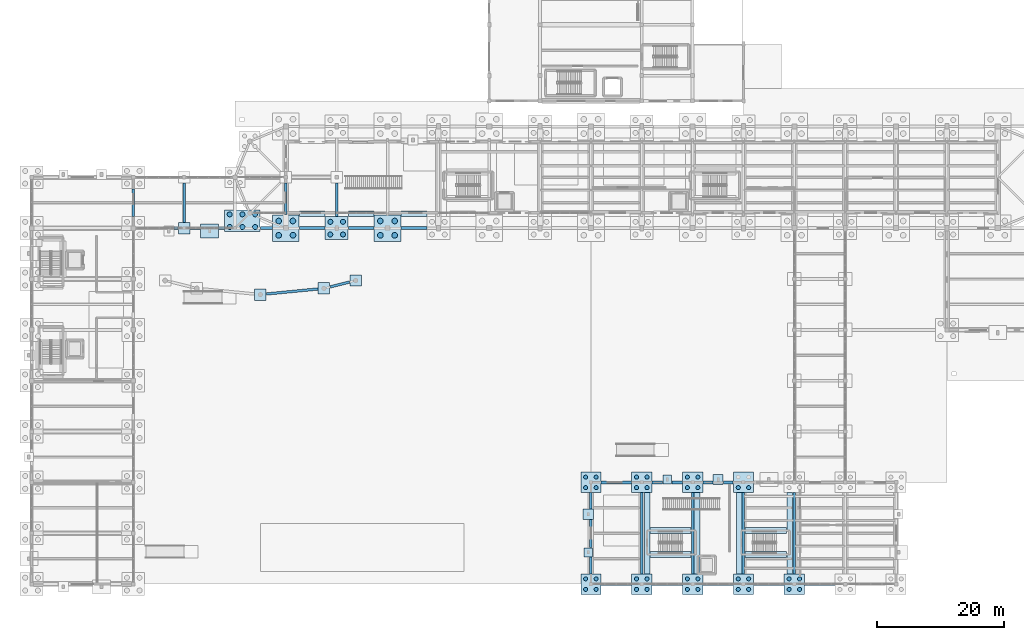
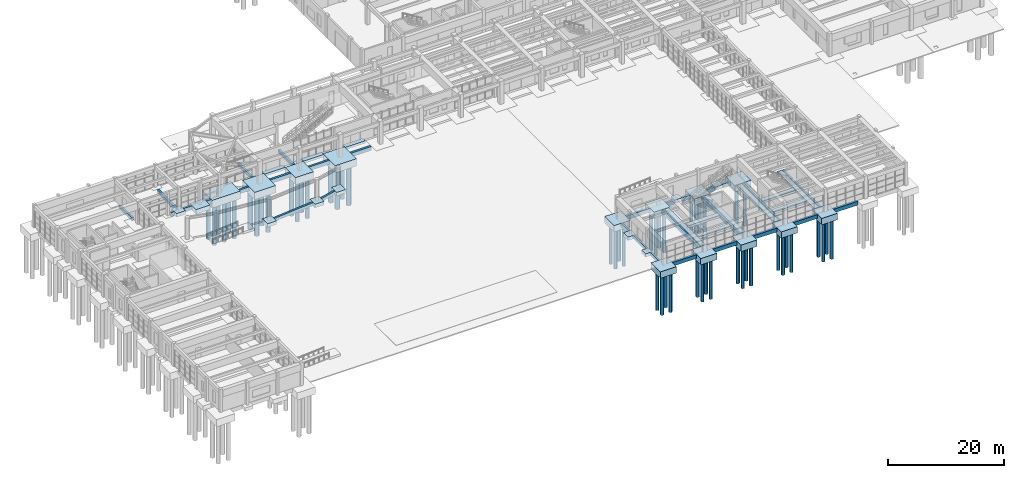
# One storey, part 2 of 68: 63 footings, 52 piles.
"""IFC4 building model written with IfcOpenShell, lengths in metres."""

import ifcopenshell
import ifcopenshell.guid

model = None  # the IFC model being written
_history = None  # IfcOwnerHistory: only IFC2X3 demands one
_inside = {}  # id of a spatial element -> (the spatial element, [elements in it])
_under = {}  # id of a project, library or spatial element -> (it, [spatial elements below it])
_declared = {}  # id of a project -> (the project, [libraries it declares])
_typed = {}  # id of a type object -> (the type object, [elements of that type])
_made_of = {}  # id of a material, layer set ... -> (it, [elements and type objects made of it])


def new_model(schema):
    """Start an empty IFC model of exactly this schema.

    Asked for "IFC4X3", IfcOpenShell would pick the latest addendum, in which some entities
    have other attributes; the version numbers below select the first issue.
    IFC2X3 requires an IfcOwnerHistory on every rooted entity: one is made here for all.
    """
    global model, _history
    if schema == "IFC4X3":
        model = ifcopenshell.file(schema_version=(4, 3, 0, 0))
    else:
        model = ifcopenshell.file(schema=schema)
    _inside.clear()
    _under.clear()
    _declared.clear()
    _typed.clear()
    _made_of.clear()
    _history = None
    if model.schema == "IFC2X3":
        org = make("IfcOrganization", Name="unknown")
        user = make(
            "IfcPersonAndOrganization",
            ThePerson=make("IfcPerson", FamilyName="unknown"),
            TheOrganization=org,
        )
        app = make(
            "IfcApplication",
            ApplicationDeveloper=org,
            Version="unknown",
            ApplicationFullName="unknown",
            ApplicationIdentifier="unknown",
        )
        _history = make(
            "IfcOwnerHistory",
            OwningUser=user,
            OwningApplication=app,
            ChangeAction="ADDED",
            CreationDate=0,
        )
    return model


def make(cls, **values):
    """One entity of the class cls with the attributes given. An attribute that is None is left unset."""
    return model.create_entity(
        cls, **{name: value for name, value in values.items() if value is not None}
    )


def rooted(cls, **values):
    """An entity with a GlobalId (a new one), such as an element, a storey or a relation."""
    return make(cls, GlobalId=ifcopenshell.guid.new(), OwnerHistory=_history, **values)


def si_unit(unit_type, name, prefix=None):
    """IfcSIUnit, for example si_unit("LENGTHUNIT", "METRE", prefix="MILLI")."""
    return make("IfcSIUnit", UnitType=unit_type, Prefix=prefix, Name=name)


def assignment(units):
    """IfcUnitAssignment: the units of a project."""
    return None if units is None else make("IfcUnitAssignment", Units=units)


def point(xyz):
    """IfcCartesianPoint."""
    return None if xyz is None else make("IfcCartesianPoint", Coordinates=xyz)


def direction(xyz):
    """IfcDirection."""
    return None if xyz is None else make("IfcDirection", DirectionRatios=xyz)


def frame(location, z_axis=None, x_axis=None):
    """IfcAxis2Placement3D, a coordinate frame: its origin and axes. An axis left out is left unset."""
    return make(
        "IfcAxis2Placement3D",
        Location=point(location),
        Axis=direction(z_axis),
        RefDirection=direction(x_axis),
    )


def frame_2d(location, x_axis=None):
    """IfcAxis2Placement2D, a coordinate frame in the plane: its origin and x axis."""
    return make(
        "IfcAxis2Placement2D", Location=point(location), RefDirection=direction(x_axis)
    )


def origin():
    """The frame at (0, 0, 0) with its axes left unset."""
    return frame((0.0, 0.0, 0.0))


def origin_2d():
    """The frame at (0, 0) in the plane with its x axis left unset."""
    return frame_2d((0.0, 0.0))


def place(relative_to, where):
    """IfcLocalPlacement: puts the frame where relative to a parent placement (None: the world)."""
    return make(
        "IfcLocalPlacement", PlacementRelTo=relative_to, RelativePlacement=where
    )


def context(
    kind, dimensions, precision=None, world=None, true_north=None, identifier=None
):
    """IfcGeometricRepresentationContext, for example the 3D "Model" context."""
    return make(
        "IfcGeometricRepresentationContext",
        ContextIdentifier=identifier,
        ContextType=kind,
        CoordinateSpaceDimension=dimensions,
        Precision=precision,
        WorldCoordinateSystem=world,
        TrueNorth=true_north,
    )


def subcontext(parent, identifier, kind, view, scale=None):
    """IfcGeometricRepresentationSubContext, for example "Body" below "Model"."""
    return make(
        "IfcGeometricRepresentationSubContext",
        ContextIdentifier=identifier,
        ContextType=kind,
        ParentContext=parent,
        TargetScale=scale,
        TargetView=view,
    )


def project(units=None, contexts=None):
    """IfcProject with its units and contexts."""
    return rooted(
        "IfcProject",
        Name="project",
        RepresentationContexts=contexts,
        UnitsInContext=assignment(units),
    )


def spatial(cls, under=None, at=None, **own):
    """A site, building, storey or space (cls), placed at a placement, below another one or the project."""
    s = rooted(cls, ObjectPlacement=at, **own)
    if under is not None:
        _under.setdefault(under.id(), (under, []))[1].append(s)
    return s


def polyline(points):
    """IfcPolyline through the points."""
    return make("IfcPolyline", Points=[point(p) for p in points])


def profile(cls, at=None, kind="AREA", **sizes):
    """A parametric profile (cls). Its sizes go by their IFC names, for example OverallWidth=200.0."""
    return make(cls, ProfileType=kind, Position=at, **sizes)


def rectangle(**sizes):
    """IfcRectangleProfileDef."""
    return profile("IfcRectangleProfileDef", **sizes)


def circle(**sizes):
    """IfcCircleProfileDef."""
    return profile("IfcCircleProfileDef", **sizes)


def outline(outer, holes=None, kind="AREA"):
    """IfcArbitraryClosedProfileDef: a profile drawn as a closed curve; with holes, ...WithVoids."""
    if holes is None:
        return make("IfcArbitraryClosedProfileDef", ProfileType=kind, OuterCurve=outer)
    return make(
        "IfcArbitraryProfileDefWithVoids",
        ProfileType=kind,
        OuterCurve=outer,
        InnerCurves=holes,
    )


def extrude(swept, where, along, depth):
    """IfcExtrudedAreaSolid: the profile swept, set in the frame where, extruded along a direction by depth."""
    return make(
        "IfcExtrudedAreaSolid",
        SweptArea=swept,
        Position=where,
        ExtrudedDirection=direction(along),
        Depth=depth,
    )


def shape(context_of_items, identifier, shape_type, items):
    """IfcShapeRepresentation: the items that make up one representation, for example the "Body"."""
    return make(
        "IfcShapeRepresentation",
        ContextOfItems=context_of_items,
        RepresentationIdentifier=identifier,
        RepresentationType=shape_type,
        Items=items,
    )


def material(Name=None, Category=None):
    """IfcMaterial."""
    return make("IfcMaterial", Name=Name, Category=Category)


def material_profile(
    of_material, cross_section, Name=None, Category=None, Priority=None
):
    """IfcMaterialProfile: a cross section and its material."""
    return make(
        "IfcMaterialProfile",
        Name=Name,
        Material=of_material,
        Profile=cross_section,
        Priority=Priority,
        Category=Category,
    )


def profile_set(profiles, Name=None, composite=None):
    """IfcMaterialProfileSet."""
    return make(
        "IfcMaterialProfileSet",
        Name=Name,
        MaterialProfiles=profiles,
        CompositeProfile=composite,
    )


def made_of(thing, what):
    """Note that an element or type object is made of a material, layer set ...; save() writes the relation."""
    if what is not None:
        _made_of.setdefault(what.id(), (what, []))[1].append(thing)
    return thing


def type_object(cls, material=None, **own):
    """A type object (cls), such as IfcWallType, which elements share."""
    return made_of(rooted(cls, **own), material)


def element(
    cls,
    number,
    at=None,
    inside=None,
    cuts=None,
    type_object=None,
    material=None,
    context=None,
    identifier="Body",
    shape_type=None,
    held_by="IfcProductDefinitionShape",
    body=None,
    shapes=None,
    **own,
):
    """One element of the class cls, such as IfcWall. Its Tag is "e" and its number.

    at: its placement. inside: the storey or other place that contains it. cuts: it is an
    opening in that element (IfcRelVoidsElement). A single representation is given by context,
    identifier, shape_type and body (its items); several are given by shapes. held_by: the class
    of the entity that holds the representations. save() writes the other relations.
    """
    e = rooted(cls, Tag="e%d" % number, ObjectPlacement=at, **own)
    if body is not None:
        shapes = [shape(context, identifier, shape_type, body)]
    if shapes is not None:
        e.Representation = make(held_by, Representations=shapes)
    if inside is not None:
        _inside.setdefault(inside.id(), (inside, []))[1].append(e)
    if cuts is not None:
        rooted(
            "IfcRelVoidsElement", RelatingBuildingElement=cuts, RelatedOpeningElement=e
        )
    if type_object is not None:
        _typed.setdefault(type_object.id(), (type_object, []))[1].append(e)
    return made_of(e, material)


def aggregate(whole, parts):
    """IfcRelAggregates: a whole, such as a stair, and the parts it consists of."""
    return rooted("IfcRelAggregates", RelatingObject=whole, RelatedObjects=parts)


def save(model, path):
    """Write the relations noted so far, then the file.

    IfcRelAggregates (storeys below a building ...), IfcRelContainedInSpatialStructure (elements
    in a storey), IfcRelDefinesByType, IfcRelAssociatesMaterial and IfcRelDeclares: one each for
    every whole, place, type object, material and project.
    """
    for whole, parts in _under.values():
        aggregate(whole, parts)
    for where, things in _inside.values():
        rooted(
            "IfcRelContainedInSpatialStructure",
            RelatedElements=things,
            RelatingStructure=where,
        )
    for kind, things in _typed.values():
        rooted("IfcRelDefinesByType", RelatedObjects=things, RelatingType=kind)
    for what, things in _made_of.values():
        rooted("IfcRelAssociatesMaterial", RelatedObjects=things, RelatingMaterial=what)
    for by, libraries in _declared.values():
        rooted("IfcRelDeclares", RelatingContext=by, RelatedDefinitions=libraries)
    model.write(path)


model = new_model("IFC4")

# Units and contexts
model_context = context("Model", 3, precision=1e-05, world=origin(), true_north=direction((0.0, 1.0)))
body_context = subcontext(model_context, "Body", "Model", "MODEL_VIEW")
ifc_project = project(units=[si_unit("LENGTHUNIT", "METRE"), si_unit("AREAUNIT", "SQUARE_METRE"), si_unit("VOLUMEUNIT", "CUBIC_METRE"), si_unit("PLANEANGLEUNIT", "RADIAN"), si_unit("MASSUNIT", "GRAM", prefix="KILO")], contexts=[model_context])

# Site, building, storey
site_placement = place(None, origin())
site = spatial("IfcSite", under=ifc_project, at=site_placement, CompositionType="ELEMENT")
building_placement = place(site_placement, origin())
building = spatial("IfcBuilding", under=site, at=building_placement, Name="Serraluz Foothill Cableway Terminal", CompositionType="ELEMENT")
storey_placement = place(building_placement, origin())
storey = spatial("IfcBuildingStorey", under=building, at=storey_placement, Name="L00", CompositionType="ELEMENT", Elevation=0.0)

# Footings
ifc_material_1 = material(Name="Concrete C35/45 (f'c 35 MPa)", Category="concrete")
ifc_material_profile_1 = material_profile(ifc_material_1, rectangle(XDim=0.39990234375, YDim=0.64990234375, at=origin_2d()), Name="RC 400x650")
ifc_profile_set_1 = profile_set([ifc_material_profile_1], Name="Concrete C35/45 (f'c 35 MPa)")
footing_type_1 = type_object("IfcFootingType", Name="TYP-FB-400X650", PredefinedType="FOOTING_BEAM", material=ifc_profile_set_1)
footing_1_placement = place(storey_placement, frame((16.0, 57.823974609375, -0.324951171875), z_axis=(0.0, 1.0, 0.0), x_axis=(-1.0, 0.0, 0.0)))
element("IfcFooting", 1, at=footing_1_placement, inside=storey, type_object=footing_type_1, Name="Seismic Tie Footing Beam FB-131", PredefinedType="FOOTING_BEAM", context=body_context, shape_type="SweptSolid", body=[
    extrude(rectangle(XDim=0.39990234375, YDim=0.64990234375, at=origin_2d()), origin(), (0.0, 0.0, 1.0), 4.35205078125),
])
footing_2_placement = place(storey_placement, frame((24.0, 56.924072265625, -0.324951171875), z_axis=(0.0, 1.0, 0.0), x_axis=(-1.0, 0.0, 0.0)))
element("IfcFooting", 2, at=footing_2_placement, inside=storey, type_object=footing_type_1, Name="Seismic Tie Footing Beam FB-132", PredefinedType="FOOTING_BEAM", context=body_context, shape_type="SweptSolid", body=[
    extrude(rectangle(XDim=0.39990234375, YDim=0.64990234375, at=origin_2d()), origin(), (0.0, 0.0, 1.0), 6.15185546875),
])
footing_3_placement = place(storey_placement, frame((40.0, 58.1240234375, -0.324951171875), z_axis=(0.0, 1.0, 0.0), x_axis=(-1.0, 0.0, 0.0)))
element("IfcFooting", 3, at=footing_3_placement, inside=storey, type_object=footing_type_1, Name="Seismic Tie Footing Beam FB-133", PredefinedType="FOOTING_BEAM", context=body_context, shape_type="SweptSolid", body=[
    extrude(rectangle(XDim=0.39990234375, YDim=0.64990234375, at=origin_2d()), origin(), (0.0, 0.0, 1.0), 4.951904296875),
])
footing_4_placement = place(storey_placement, frame((48.0, 57.823974609375, -0.324951171875), z_axis=(0.0, 1.0, 0.0), x_axis=(-1.0, 0.0, 0.0)))
element("IfcFooting", 4, at=footing_4_placement, inside=storey, type_object=footing_type_1, Name="Seismic Tie Footing Beam FB-135", PredefinedType="FOOTING_BEAM", context=body_context, shape_type="SweptSolid", body=[
    extrude(rectangle(XDim=0.39990234375, YDim=0.64990234375, at=origin_2d()), origin(), (0.0, 0.0, 1.0), 5.251953125),
])
footing_5_placement = place(storey_placement, frame((88.0, 1.6240234375, -0.324951171875), z_axis=(0.0, 1.0, 0.0), x_axis=(-1.0, 0.0, 0.0)))
element("IfcFooting", 5, at=footing_5_placement, inside=storey, type_object=footing_type_1, Name="Seismic Tie Footing Beam FB-141", PredefinedType="FOOTING_BEAM", context=body_context, shape_type="SweptSolid", body=[
    extrude(rectangle(XDim=0.39990234375, YDim=0.64990234375, at=origin_2d()), origin(), (0.0, 0.0, 1.0), 2.65185546875),
])
footing_6_placement = place(storey_placement, frame((88.0, 5.72412109375, -0.324951171875), z_axis=(0.0, 1.0, 0.0), x_axis=(-1.0, 0.0, 0.0)))
element("IfcFooting", 6, at=footing_6_placement, inside=storey, type_object=footing_type_1, Name="Seismic Tie Footing Beam FB-142", PredefinedType="FOOTING_BEAM", context=body_context, shape_type="SweptSolid", body=[
    extrude(rectangle(XDim=0.39990234375, YDim=0.64990234375, at=origin_2d()), origin(), (0.0, 0.0, 1.0), 4.451904296875),
])
footing_7_placement = place(storey_placement, frame((88.0, 11.823974609375, -0.324951171875), z_axis=(0.0, 1.0, 0.0), x_axis=(-1.0, 0.0, 0.0)))
element("IfcFooting", 7, at=footing_7_placement, inside=storey, type_object=footing_type_1, Name="Seismic Tie Footing Beam FB-143", PredefinedType="FOOTING_BEAM", context=body_context, shape_type="SweptSolid", body=[
    extrude(rectangle(XDim=0.39990234375, YDim=0.64990234375, at=origin_2d()), origin(), (0.0, 0.0, 1.0), 2.552001953125),
])
for number, where, z_axis, x_axis, name in (
    (8, (96.0, 1.6240234375, -0.324951171875), (0.0, 1.0, 0.0), (-1.0, 0.0, 0.0), "Seismic Tie Footing Beam FB-145"),
    (9, (104.0, 1.6240234375, -0.324951171875), (0.0, 1.0, 0.0), (-1.0, 0.0, 0.0), "Seismic Tie Footing Beam FB-147"),
    (10, (112.0, 1.6240234375, -0.324951171875), (0.0, 1.0, 0.0), (-1.0, 0.0, 0.0), "Seismic Tie Footing Beam FB-149"),
    (11, (120.0, 1.6240234375, -0.324951171875), (0.0, 1.0, 0.0), (-1.0, 0.0, 0.0), "Seismic Tie Footing Beam FB-151"),
):
    element("IfcFooting", number, at=place(storey_placement, frame(where, z_axis=z_axis, x_axis=x_axis)), inside=storey, type_object=footing_type_1, Name=name, PredefinedType="FOOTING_BEAM", context=body_context, shape_type="SweptSolid", body=[
        extrude(rectangle(XDim=0.39990234375, YDim=0.64990234375, at=origin_2d()), origin(), (0.0, 0.0, 1.0), 12.751953125),
    ])
footing_8_placement = place(storey_placement, frame((36.945556640625, 45.641845703125, -0.324951171875), z_axis=(0.995324863023, 0.096583730762, 0.0), x_axis=(-0.096583730762, 0.995324863023, 0.0)))
element("IfcFooting", 12, at=footing_8_placement, inside=storey, type_object=footing_type_1, Name="Seismic Tie Footing Beam FB-CAN-03", PredefinedType="FOOTING_BEAM", context=body_context, shape_type="SweptSolid", body=[
    extrude(rectangle(XDim=0.39990234375, YDim=0.64990234375, at=origin_2d()), origin(), (0.0, 0.0, 1.0), 8.14697265625),
])
footing_9_placement = place(storey_placement, frame((46.977294921875, 46.762939453125, -0.324951171875), z_axis=(0.970607565499, 0.240667724875, 0.0), x_axis=(-0.240667724875, 0.970607565499, 0.0)))
element("IfcFooting", 13, at=footing_9_placement, inside=storey, type_object=footing_type_1, Name="Seismic Tie Footing Beam FB-CAN-04", PredefinedType="FOOTING_BEAM", context=body_context, shape_type="SweptSolid", body=[
    extrude(rectangle(XDim=0.39990234375, YDim=0.64990234375, at=origin_2d()), origin(), (0.0, 0.0, 1.0), 3.1376953125),
])
ifc_material_profile_2 = material_profile(ifc_material_1, rectangle(XDim=0.449951171875, YDim=0.800048828125, at=origin_2d()), Name="RC 450x800")
ifc_profile_set_2 = profile_set([ifc_material_profile_2], Name="Concrete C35/45 (f'c 35 MPa)")
footing_type_2 = type_object("IfcFootingType", Name="TYP-FB-450X700", PredefinedType="FOOTING_BEAM", material=ifc_profile_set_2)
for number, where, z_axis, x_axis, name in (
    (14, (89.6240234375, 0.0, -0.39990234375), (1.0, 0.0, 0.0), (0.0, 1.0, 0.0), "Seismic Tie Footing Beam FB-031"),
    (15, (97.6240234375, 0.0, -0.39990234375), (1.0, 0.0, 0.0), (0.0, 1.0, 0.0), "Seismic Tie Footing Beam FB-032"),
    (16, (105.6240234375, 0.0, -0.39990234375), (1.0, 0.0, 0.0), (0.0, 1.0, 0.0), "Seismic Tie Footing Beam FB-033"),
    (17, (113.6240234375, 0.0, -0.39990234375), (1.0, 0.0, 0.0), (0.0, 1.0, 0.0), "Seismic Tie Footing Beam FB-034"),
    (18, (121.6240234375, 0.0, -0.39990234375), (1.0, 0.0, 0.0), (0.0, 1.0, 0.0), "Seismic Tie Footing Beam FB-035"),
    (19, (89.6240234375, 16.0, -0.39990234375), (1.0, 0.0, 0.0), (0.0, 1.0, 0.0), "Seismic Tie Footing Beam FB-039"),
):
    element("IfcFooting", number, at=place(storey_placement, frame(where, z_axis=z_axis, x_axis=x_axis)), inside=storey, type_object=footing_type_2, Name=name, PredefinedType="FOOTING_BEAM", context=body_context, shape_type="SweptSolid", body=[
        extrude(rectangle(XDim=0.449951171875, YDim=0.800048828125, at=origin_2d()), origin(), (0.0, 0.0, 1.0), 4.751953125),
    ])
for number, where, z_axis, x_axis, name in (
    (20, (97.6240234375, 16.0, -0.39990234375), (1.0, 0.0, 0.0), (0.0, 1.0, 0.0), "Seismic Tie Footing Beam FB-040"),
    (21, (100.72412109375, 16.0, -0.39990234375), (1.0, 0.0, 0.0), (0.0, 1.0, 0.0), "Seismic Tie Footing Beam FB-041"),
):
    element("IfcFooting", number, at=place(storey_placement, frame(where, z_axis=z_axis, x_axis=x_axis)), inside=storey, type_object=footing_type_2, Name=name, PredefinedType="FOOTING_BEAM", context=body_context, shape_type="SweptSolid", body=[
        extrude(rectangle(XDim=0.449951171875, YDim=0.800048828125, at=origin_2d()), origin(), (0.0, 0.0, 1.0), 1.65185546875),
    ])
for number, where, z_axis, x_axis, name in (
    (22, (105.6240234375, 16.0, -0.39990234375), (1.0, 0.0, 0.0), (0.0, 1.0, 0.0), "Seismic Tie Footing Beam FB-042"),
    (23, (108.823974609375, 16.0, -0.39990234375), (1.0, 0.0, 0.0), (0.0, 1.0, 0.0), "Seismic Tie Footing Beam FB-043"),
):
    element("IfcFooting", number, at=place(storey_placement, frame(where, z_axis=z_axis, x_axis=x_axis)), inside=storey, type_object=footing_type_2, Name=name, PredefinedType="FOOTING_BEAM", context=body_context, shape_type="SweptSolid", body=[
        extrude(rectangle(XDim=0.449951171875, YDim=0.800048828125, at=origin_2d()), origin(), (0.0, 0.0, 1.0), 1.552001953125),
    ])
footing_10_placement = place(storey_placement, frame((22.424072265625, 56.0, -0.39990234375), z_axis=(1.0, 0.0, 0.0), x_axis=(0.0, 1.0, 0.0)))
element("IfcFooting", 24, at=footing_10_placement, inside=storey, type_object=footing_type_2, Name="Seismic Tie Footing Beam FB-063", PredefinedType="FOOTING_BEAM", context=body_context, shape_type="SweptSolid", body=[
    extrude(rectangle(XDim=0.449951171875, YDim=0.800048828125, at=origin_2d()), origin(), (0.0, 0.0, 1.0), 0.65185546875),
])
footing_11_placement = place(storey_placement, frame((24.924072265625, 56.0, -0.39990234375), z_axis=(1.0, 0.0, 0.0), x_axis=(0.0, 1.0, 0.0)))
element("IfcFooting", 25, at=footing_11_placement, inside=storey, type_object=footing_type_2, Name="Seismic Tie Footing Beam FB-064", PredefinedType="FOOTING_BEAM", context=body_context, shape_type="SweptSolid", body=[
    extrude(rectangle(XDim=0.449951171875, YDim=0.800048828125, at=origin_2d()), origin(), (0.0, 0.0, 1.0), 1.65185546875),
])
footing_12_placement = place(storey_placement, frame((29.424072265625, 56.0, -0.39990234375), z_axis=(1.0, 0.0, 0.0), x_axis=(0.0, 1.0, 0.0)))
element("IfcFooting", 26, at=footing_12_placement, inside=storey, type_object=footing_type_2, Name="Seismic Tie Footing Beam FB-065", PredefinedType="FOOTING_BEAM", context=body_context, shape_type="SweptSolid", body=[
    extrude(rectangle(XDim=0.449951171875, YDim=0.800048828125, at=origin_2d()), origin(), (0.0, 0.0, 1.0), 0.92333984375),
])
footing_13_placement = place(storey_placement, frame((35.99560546875, 56.0, -0.39990234375), z_axis=(1.0, 0.0, 0.0), x_axis=(0.0, 1.0, 0.0)))
element("IfcFooting", 27, at=footing_13_placement, inside=storey, type_object=footing_type_2, Name="Seismic Tie Footing Beam FB-066", PredefinedType="FOOTING_BEAM", context=body_context, shape_type="SweptSolid", body=[
    extrude(rectangle(XDim=0.449951171875, YDim=0.800048828125, at=origin_2d()), origin(), (0.0, 0.0, 1.0), 1.88037109375),
])
for number, where, z_axis, x_axis, name in (
    (28, (42.1240234375, 56.0, -0.39990234375), (1.0, 0.0, 0.0), (0.0, 1.0, 0.0), "Seismic Tie Footing Beam FB-067"),
    (29, (49.823974609375, 56.0, -0.39990234375), (1.0, 0.0, 0.0), (0.0, 1.0, 0.0), "Seismic Tie Footing Beam FB-068"),
    (30, (58.1240234375, 56.0, -0.39990234375), (1.0, 0.0, 0.0), (0.0, 1.0, 0.0), "Seismic Tie Footing Beam FB-069"),
):
    element("IfcFooting", number, at=place(storey_placement, frame(where, z_axis=z_axis, x_axis=x_axis)), inside=storey, type_object=footing_type_2, Name=name, PredefinedType="FOOTING_BEAM", context=body_context, shape_type="SweptSolid", body=[
        extrude(rectangle(XDim=0.449951171875, YDim=0.800048828125, at=origin_2d()), origin(), (0.0, 0.0, 1.0), 4.052001953125),
    ])
footing_type_3 = type_object("IfcFootingType", Name="TYP-PAD-1400X1400X650", PredefinedType="PAD_FOOTING", material=ifc_material_1)
for number, where, z_axis, x_axis, name in (
    (31, (100.0, 16.47998046875, -0.64990234375), (0.0, 0.0, 1.0), (1.0, 0.0, 0.0), "Pilaster Pad Footing 18"),
    (32, (87.580078125, 5.0, -0.64990234375), (0.0, 0.0, 1.0), (1.0, 0.0, 0.0), "Pilaster Pad Footing 21"),
):
    element("IfcFooting", number, at=place(storey_placement, frame(where, z_axis=z_axis, x_axis=x_axis)), inside=storey, type_object=footing_type_3, Name=name, PredefinedType="PAD_FOOTING", context=body_context, shape_type="SweptSolid", body=[
        extrude(rectangle(XDim=1.39990234375, YDim=1.39990234375, at=origin_2d()), origin(), (0.0, 0.0, 1.0), 0.64990234375),
    ])
footing_type_4 = type_object("IfcFootingType", Name="TYP-PAD-1600X1600X700", PredefinedType="PAD_FOOTING", material=ifc_material_1)
for number, where, z_axis, x_axis, name in (
    (33, (108.0, 16.47998046875, -0.7001953125), (0.0, 0.0, 1.0), (1.0, 0.0, 0.0), "Pilaster Pad Footing 19"),
    (34, (87.580078125, 11.0, -0.7001953125), (0.0, 0.0, 1.0), (1.0, 0.0, 0.0), "Pilaster Pad Footing 22"),
):
    element("IfcFooting", number, at=place(storey_placement, frame(where, z_axis=z_axis, x_axis=x_axis)), inside=storey, type_object=footing_type_4, Name=name, PredefinedType="PAD_FOOTING", context=body_context, shape_type="SweptSolid", body=[
        extrude(rectangle(XDim=1.60009765625, YDim=1.60009765625, at=origin_2d()), origin(), (0.0, 0.0, 1.0), 0.699951171875),
    ])
footing_type_5 = type_object("IfcFootingType", Name="TYP-PAD-1800X1800X750", PredefinedType="PAD_FOOTING", material=ifc_material_1)
for number, where, z_axis, x_axis, name in (
    (35, (24.0, 56.0, -0.75), (0.0, 0.0, 1.0), (1.0, 0.0, 0.0), "Pad Footing FTG-PAD-L00-086"),
    (36, (36.0, 45.550048828125, -0.75), (0.0, 0.0, 1.0), (1.0, 0.0, 0.0), "Canopy Pad Footing FTG-CAN-4"),
    (37, (46.0, 46.5205078125, -0.75), (0.0, 0.0, 1.0), (1.0, 0.0, 0.0), "Canopy Pad Footing FTG-CAN-6"),
    (38, (51.0, 47.760498046875, -0.75), (0.0, 0.0, 1.0), (1.0, 0.0, 0.0), "Canopy Pad Footing FTG-CAN-7"),
):
    element("IfcFooting", number, at=place(storey_placement, frame(where, z_axis=z_axis, x_axis=x_axis)), inside=storey, type_object=footing_type_5, Name=name, PredefinedType="PAD_FOOTING", context=body_context, shape_type="SweptSolid", body=[
        extrude(rectangle(XDim=1.800048828125, YDim=1.800048828125, at=origin_2d()), origin(), (0.0, 0.0, 1.0), 0.75),
    ])
footing_type_6 = type_object("IfcFootingType", Name="TYP-PAD-2800X2200X950", PredefinedType="PAD_FOOTING", material=ifc_material_1)
footing_14_placement = place(storey_placement, frame((28.0, 55.56005859375, -0.9501953125), z_axis=(0.0, 0.0, 1.0), x_axis=(1.0, 0.0, 0.0)))
element("IfcFooting", 39, at=footing_14_placement, inside=storey, type_object=footing_type_6, Name="Pilaster Pad Footing 32", PredefinedType="PAD_FOOTING", context=body_context, shape_type="SweptSolid", body=[
    extrude(rectangle(XDim=2.800048828125, YDim=2.199951171875, at=origin_2d()), origin(), (0.0, 0.0, 1.0), 0.949951171875),
])
footing_type_7 = type_object("IfcFootingType", Name="TYP-PC-3200X3200X1350", PredefinedType="PILE_CAP", material=ifc_material_1)
footing_15_placement = place(storey_placement, frame((0.0, 0.0, -1.35009765625)))
element("IfcFooting", 40, at=footing_15_placement, inside=storey, type_object=footing_type_7, Name="Pile Cap FTG-PC-L00-042", PredefinedType="PILE_CAP", context=body_context, shape_type="SweptSolid", body=[
    extrude(outline(polyline([(86.39990234375, -1.60009765625), (89.60009765625, -1.60009765625), (89.60009765625, 1.60009765625), (86.39990234375, 1.60009765625), (86.39990234375, -1.60009765625)])), origin(), (0.0, 0.0, 1.0), 1.35009765625),
])
footing_16_placement = place(storey_placement, frame((0.0, 0.0, -1.35009765625)))
element("IfcFooting", 41, at=footing_16_placement, inside=storey, type_object=footing_type_7, Name="Pile Cap FTG-PC-L00-043", PredefinedType="PILE_CAP", context=body_context, shape_type="SweptSolid", body=[
    extrude(outline(polyline([(86.39990234375, 14.39990234375), (89.60009765625, 14.39990234375), (89.60009765625, 17.60009765625), (86.39990234375, 17.60009765625), (86.39990234375, 14.39990234375)])), origin(), (0.0, 0.0, 1.0), 1.35009765625),
])
footing_17_placement = place(storey_placement, frame((0.0, 0.0, -1.35009765625)))
element("IfcFooting", 42, at=footing_17_placement, inside=storey, type_object=footing_type_7, Name="Pile Cap FTG-PC-L00-044", PredefinedType="PILE_CAP", context=body_context, shape_type="SweptSolid", body=[
    extrude(outline(polyline([(94.39990234375, -1.60009765625), (97.60009765625, -1.60009765625), (97.60009765625, 1.60009765625), (94.39990234375, 1.60009765625), (94.39990234375, -1.60009765625)])), origin(), (0.0, 0.0, 1.0), 1.35009765625),
])
footing_18_placement = place(storey_placement, frame((0.0, 0.0, -1.35009765625)))
element("IfcFooting", 43, at=footing_18_placement, inside=storey, type_object=footing_type_7, Name="Pile Cap FTG-PC-L00-045", PredefinedType="PILE_CAP", context=body_context, shape_type="SweptSolid", body=[
    extrude(outline(polyline([(94.39990234375, 14.39990234375), (97.60009765625, 14.39990234375), (97.60009765625, 17.60009765625), (94.39990234375, 17.60009765625), (94.39990234375, 14.39990234375)])), origin(), (0.0, 0.0, 1.0), 1.35009765625),
])
footing_19_placement = place(storey_placement, frame((0.0, 0.0, -1.35009765625)))
element("IfcFooting", 44, at=footing_19_placement, inside=storey, type_object=footing_type_7, Name="Pile Cap FTG-PC-L00-046", PredefinedType="PILE_CAP", context=body_context, shape_type="SweptSolid", body=[
    extrude(outline(polyline([(102.39990234375, -1.60009765625), (105.60009765625, -1.60009765625), (105.60009765625, 1.60009765625), (102.39990234375, 1.60009765625), (102.39990234375, -1.60009765625)])), origin(), (0.0, 0.0, 1.0), 1.35009765625),
])
footing_20_placement = place(storey_placement, frame((0.0, 0.0, -1.35009765625)))
element("IfcFooting", 45, at=footing_20_placement, inside=storey, type_object=footing_type_7, Name="Pile Cap FTG-PC-L00-047", PredefinedType="PILE_CAP", context=body_context, shape_type="SweptSolid", body=[
    extrude(outline(polyline([(102.39990234375, 14.39990234375), (105.60009765625, 14.39990234375), (105.60009765625, 17.60009765625), (102.39990234375, 17.60009765625), (102.39990234375, 14.39990234375)])), origin(), (0.0, 0.0, 1.0), 1.35009765625),
])
footing_21_placement = place(storey_placement, frame((0.0, 0.0, -1.35009765625)))
element("IfcFooting", 46, at=footing_21_placement, inside=storey, type_object=footing_type_7, Name="Pile Cap FTG-PC-L00-048", PredefinedType="PILE_CAP", context=body_context, shape_type="SweptSolid", body=[
    extrude(outline(polyline([(110.39990234375, -1.60009765625), (113.60009765625, -1.60009765625), (113.60009765625, 1.60009765625), (110.39990234375, 1.60009765625), (110.39990234375, -1.60009765625)])), origin(), (0.0, 0.0, 1.0), 1.35009765625),
])
footing_22_placement = place(storey_placement, frame((0.0, 0.0, -1.35009765625)))
element("IfcFooting", 47, at=footing_22_placement, inside=storey, type_object=footing_type_7, Name="Pile Cap FTG-PC-L00-049", PredefinedType="PILE_CAP", context=body_context, shape_type="SweptSolid", body=[
    extrude(outline(polyline([(110.39990234375, 14.39990234375), (113.60009765625, 14.39990234375), (113.60009765625, 17.60009765625), (110.39990234375, 17.60009765625), (110.39990234375, 14.39990234375)])), origin(), (0.0, 0.0, 1.0), 1.35009765625),
])
footing_23_placement = place(storey_placement, frame((0.0, 0.0, -1.35009765625)))
element("IfcFooting", 48, at=footing_23_placement, inside=storey, type_object=footing_type_7, Name="Pile Cap FTG-PC-L00-050", PredefinedType="PILE_CAP", context=body_context, shape_type="SweptSolid", body=[
    extrude(outline(polyline([(118.39990234375, -1.60009765625), (121.60009765625, -1.60009765625), (121.60009765625, 1.60009765625), (118.39990234375, 1.60009765625), (118.39990234375, -1.60009765625)])), origin(), (0.0, 0.0, 1.0), 1.35009765625),
])
footing_type_8 = type_object("IfcFootingType", Name="TYP-PC-3600X3600X1500", PredefinedType="PILE_CAP", material=ifc_material_1)
footing_24_placement = place(storey_placement, frame((0.0, 0.0, -1.5)))
element("IfcFooting", 49, at=footing_24_placement, inside=storey, type_object=footing_type_8, Name="Pile Cap FTG-PC-L00-003", PredefinedType="PILE_CAP", context=body_context, shape_type="SweptSolid", body=[
    extrude(outline(polyline([(46.199951171875, 54.199951171875), (49.800048828125, 54.199951171875), (49.800048828125, 57.800048828125), (46.199951171875, 57.800048828125), (46.199951171875, 54.199951171875)])), origin(), (0.0, 0.0, 1.0), 1.5),
])
footing_type_9 = type_object("IfcFootingType", Name="TYP-PC-4200X4200X1550", PredefinedType="PILE_CAP", material=ifc_material_1)
footing_25_placement = place(storey_placement, frame((0.0, 0.0, -1.550048828125)))
element("IfcFooting", 50, at=footing_25_placement, inside=storey, type_object=footing_type_9, Name="Pile Cap FTG-PC-L00-001", PredefinedType="PILE_CAP", context=body_context, shape_type="SweptSolid", body=[
    extrude(outline(polyline([(37.89990234375, 53.89990234375), (42.10009765625, 53.89990234375), (42.10009765625, 58.10009765625), (37.89990234375, 58.10009765625), (37.89990234375, 53.89990234375)])), origin(), (0.0, 0.0, 1.0), 1.550048828125),
])
footing_26_placement = place(storey_placement, frame((0.0, 0.0, -1.550048828125)))
element("IfcFooting", 51, at=footing_26_placement, inside=storey, type_object=footing_type_9, Name="Pile Cap FTG-PC-L00-005", PredefinedType="PILE_CAP", context=body_context, shape_type="SweptSolid", body=[
    extrude(outline(polyline([(53.89990234375, 53.89990234375), (58.10009765625, 53.89990234375), (58.10009765625, 58.10009765625), (53.89990234375, 58.10009765625), (53.89990234375, 53.89990234375)])), origin(), (0.0, 0.0, 1.0), 1.550048828125),
])
footing_type_10 = type_object("IfcFootingType", Name="TYP-PC-5600X3400X1600", PredefinedType="PILE_CAP", material=ifc_material_1)
footing_27_placement = place(storey_placement, frame((0.0, 0.0, -1.60009765625)))
element("IfcFooting", 52, at=footing_27_placement, inside=storey, type_object=footing_type_10, Name="Pile Cap FTG-PC-L00-031", PredefinedType="PILE_CAP", context=body_context, shape_type="SweptSolid", body=[
    extrude(outline(polyline([(30.37158203125, 55.471435546875), (35.971435546875, 55.471435546875), (35.971435546875, 58.87158203125), (30.37158203125, 58.87158203125), (30.37158203125, 55.471435546875)])), origin(), (0.0, 0.0, 1.0), 1.60009765625),
])

# Piles
ifc_material_2 = material(Name="Concrete C28/35 (f'c 28 MPa)", Category="concrete")
ifc_material_profile_3 = material_profile(ifc_material_2, circle(Radius=0.324951171875, at=origin_2d()), Name="BORED PILE D650")
ifc_profile_set_3 = profile_set([ifc_material_profile_3], Name="Concrete C28/35 (f'c 28 MPa)")
pile_type_1 = type_object("IfcPileType", Name="TYP-PILE-D650", PredefinedType="BORED", material=ifc_profile_set_3)
for number, where, z_axis, x_axis, name in (
    (53, (87.175048828125, -0.824951171875, -1.25), (0.0, 0.0, -1.0), (1.0, 0.0, 0.0), "Bored Pile PIL-L00-042-01"),
    (54, (87.175048828125, 0.824951171875, -1.25), (0.0, 0.0, -1.0), (1.0, 0.0, 0.0), "Bored Pile PIL-L00-042-02"),
    (55, (88.824951171875, -0.824951171875, -1.25), (0.0, 0.0, -1.0), (1.0, 0.0, 0.0), "Bored Pile PIL-L00-042-03"),
    (56, (88.824951171875, 0.824951171875, -1.25), (0.0, 0.0, -1.0), (1.0, 0.0, 0.0), "Bored Pile PIL-L00-042-04"),
    (57, (87.175048828125, 15.175048828125, -1.25), (0.0, 0.0, -1.0), (1.0, 0.0, 0.0), "Bored Pile PIL-L00-043-01"),
    (58, (87.175048828125, 16.824951171875, -1.25), (0.0, 0.0, -1.0), (1.0, 0.0, 0.0), "Bored Pile PIL-L00-043-02"),
    (59, (88.824951171875, 15.175048828125, -1.25), (0.0, 0.0, -1.0), (1.0, 0.0, 0.0), "Bored Pile PIL-L00-043-03"),
    (60, (88.824951171875, 16.824951171875, -1.25), (0.0, 0.0, -1.0), (1.0, 0.0, 0.0), "Bored Pile PIL-L00-043-04"),
    (61, (95.175048828125, -0.824951171875, -1.25), (0.0, 0.0, -1.0), (1.0, 0.0, 0.0), "Bored Pile PIL-L00-044-01"),
    (62, (95.175048828125, 0.824951171875, -1.25), (0.0, 0.0, -1.0), (1.0, 0.0, 0.0), "Bored Pile PIL-L00-044-02"),
    (63, (96.824951171875, -0.824951171875, -1.25), (0.0, 0.0, -1.0), (1.0, 0.0, 0.0), "Bored Pile PIL-L00-044-03"),
    (64, (96.824951171875, 0.824951171875, -1.25), (0.0, 0.0, -1.0), (1.0, 0.0, 0.0), "Bored Pile PIL-L00-044-04"),
    (65, (95.175048828125, 15.175048828125, -1.25), (0.0, 0.0, -1.0), (1.0, 0.0, 0.0), "Bored Pile PIL-L00-045-01"),
    (66, (95.175048828125, 16.824951171875, -1.25), (0.0, 0.0, -1.0), (1.0, 0.0, 0.0), "Bored Pile PIL-L00-045-02"),
    (67, (96.824951171875, 15.175048828125, -1.25), (0.0, 0.0, -1.0), (1.0, 0.0, 0.0), "Bored Pile PIL-L00-045-03"),
    (68, (96.824951171875, 16.824951171875, -1.25), (0.0, 0.0, -1.0), (1.0, 0.0, 0.0), "Bored Pile PIL-L00-045-04"),
    (69, (103.175048828125, -0.824951171875, -1.25), (0.0, 0.0, -1.0), (1.0, 0.0, 0.0), "Bored Pile PIL-L00-046-01"),
    (70, (103.175048828125, 0.824951171875, -1.25), (0.0, 0.0, -1.0), (1.0, 0.0, 0.0), "Bored Pile PIL-L00-046-02"),
    (71, (104.824951171875, -0.824951171875, -1.25), (0.0, 0.0, -1.0), (1.0, 0.0, 0.0), "Bored Pile PIL-L00-046-03"),
    (72, (104.824951171875, 0.824951171875, -1.25), (0.0, 0.0, -1.0), (1.0, 0.0, 0.0), "Bored Pile PIL-L00-046-04"),
    (73, (103.175048828125, 15.175048828125, -1.25), (0.0, 0.0, -1.0), (1.0, 0.0, 0.0), "Bored Pile PIL-L00-047-01"),
    (74, (103.175048828125, 16.824951171875, -1.25), (0.0, 0.0, -1.0), (1.0, 0.0, 0.0), "Bored Pile PIL-L00-047-02"),
    (75, (104.824951171875, 15.175048828125, -1.25), (0.0, 0.0, -1.0), (1.0, 0.0, 0.0), "Bored Pile PIL-L00-047-03"),
    (76, (104.824951171875, 16.824951171875, -1.25), (0.0, 0.0, -1.0), (1.0, 0.0, 0.0), "Bored Pile PIL-L00-047-04"),
    (77, (111.175048828125, -0.824951171875, -1.25), (0.0, 0.0, -1.0), (1.0, 0.0, 0.0), "Bored Pile PIL-L00-048-01"),
    (78, (111.175048828125, 0.824951171875, -1.25), (0.0, 0.0, -1.0), (1.0, 0.0, 0.0), "Bored Pile PIL-L00-048-02"),
    (79, (112.824951171875, -0.824951171875, -1.25), (0.0, 0.0, -1.0), (1.0, 0.0, 0.0), "Bored Pile PIL-L00-048-03"),
    (80, (112.824951171875, 0.824951171875, -1.25), (0.0, 0.0, -1.0), (1.0, 0.0, 0.0), "Bored Pile PIL-L00-048-04"),
    (81, (111.175048828125, 15.175048828125, -1.25), (0.0, 0.0, -1.0), (1.0, 0.0, 0.0), "Bored Pile PIL-L00-049-01"),
    (82, (112.824951171875, 15.175048828125, -1.25), (0.0, 0.0, -1.0), (1.0, 0.0, 0.0), "Bored Pile PIL-L00-049-03"),
    (83, (119.175048828125, -0.824951171875, -1.25), (0.0, 0.0, -1.0), (1.0, 0.0, 0.0), "Bored Pile PIL-L00-050-01"),
    (84, (119.175048828125, 0.824951171875, -1.25), (0.0, 0.0, -1.0), (1.0, 0.0, 0.0), "Bored Pile PIL-L00-050-02"),
    (85, (120.824951171875, -0.824951171875, -1.25), (0.0, 0.0, -1.0), (1.0, 0.0, 0.0), "Bored Pile PIL-L00-050-03"),
    (86, (120.824951171875, 0.824951171875, -1.25), (0.0, 0.0, -1.0), (1.0, 0.0, 0.0), "Bored Pile PIL-L00-050-04"),
):
    element("IfcPile", number, at=place(storey_placement, frame(where, z_axis=z_axis, x_axis=x_axis)), inside=storey, type_object=pile_type_1, Name=name, PredefinedType="BORED", context=body_context, shape_type="SweptSolid", body=[
        extrude(circle(Radius=0.324951171875, at=origin_2d()), origin(), (0.0, 0.0, 1.0), 8.39990234375),
    ])
ifc_material_profile_4 = material_profile(ifc_material_2, circle(Radius=0.39990234375, at=origin_2d()), Name="BORED PILE D800")
ifc_profile_set_4 = profile_set([ifc_material_profile_4], Name="Concrete C28/35 (f'c 28 MPa)")
pile_type_2 = type_object("IfcPileType", Name="TYP-PILE-D800", PredefinedType="BORED", material=ifc_profile_set_4)
for number, where, z_axis, x_axis, name in (
    (87, (47.0, 55.0, -1.39990234375), (0.0, 0.0, -1.0), (1.0, 0.0, 0.0), "Bored Pile PIL-L00-003-01"),
    (88, (47.0, 57.0, -1.39990234375), (0.0, 0.0, -1.0), (1.0, 0.0, 0.0), "Bored Pile PIL-L00-003-02"),
    (89, (49.0, 55.0, -1.39990234375), (0.0, 0.0, -1.0), (1.0, 0.0, 0.0), "Bored Pile PIL-L00-003-03"),
    (90, (49.0, 57.0, -1.39990234375), (0.0, 0.0, -1.0), (1.0, 0.0, 0.0), "Bored Pile PIL-L00-003-04"),
    (91, (31.17138671875, 56.17138671875, -1.5), (0.0, 0.0, -1.0), (1.0, 0.0, 0.0), "Bored Pile PIL-L00-031-01"),
    (92, (31.17138671875, 58.17138671875, -1.5), (0.0, 0.0, -1.0), (1.0, 0.0, 0.0), "Bored Pile PIL-L00-031-02"),
    (93, (33.17138671875, 56.17138671875, -1.5), (0.0, 0.0, -1.0), (1.0, 0.0, 0.0), "Bored Pile PIL-L00-031-03"),
    (94, (33.17138671875, 58.17138671875, -1.5), (0.0, 0.0, -1.0), (1.0, 0.0, 0.0), "Bored Pile PIL-L00-031-04"),
    (95, (35.17138671875, 56.17138671875, -1.5), (0.0, 0.0, -1.0), (1.0, 0.0, 0.0), "Bored Pile PIL-L00-031-05"),
    (96, (35.17138671875, 58.17138671875, -1.5), (0.0, 0.0, -1.0), (1.0, 0.0, 0.0), "Bored Pile PIL-L00-031-06"),
):
    element("IfcPile", number, at=place(storey_placement, frame(where, z_axis=z_axis, x_axis=x_axis)), inside=storey, type_object=pile_type_2, Name=name, PredefinedType="BORED", context=body_context, shape_type="SweptSolid", body=[
        extrude(circle(Radius=0.39990234375, at=origin_2d()), origin(), (0.0, 0.0, 1.0), 8.39990234375),
    ])
ifc_material_profile_5 = material_profile(ifc_material_2, circle(Radius=0.449951171875, at=origin_2d()), Name="BORED PILE D900")
ifc_profile_set_5 = profile_set([ifc_material_profile_5], Name="Concrete C28/35 (f'c 28 MPa)")
pile_type_3 = type_object("IfcPileType", Name="TYP-PILE-D900", PredefinedType="BORED", material=ifc_profile_set_5)
for number, where, z_axis, x_axis, name in (
    (97, (38.875, 54.875, -1.449951171875), (0.0, 0.0, -1.0), (1.0, 0.0, 0.0), "Bored Pile PIL-L00-001-01"),
    (98, (38.875, 57.125, -1.449951171875), (0.0, 0.0, -1.0), (1.0, 0.0, 0.0), "Bored Pile PIL-L00-001-02"),
    (99, (41.125, 54.875, -1.449951171875), (0.0, 0.0, -1.0), (1.0, 0.0, 0.0), "Bored Pile PIL-L00-001-03"),
    (100, (41.125, 57.125, -1.449951171875), (0.0, 0.0, -1.0), (1.0, 0.0, 0.0), "Bored Pile PIL-L00-001-04"),
    (101, (54.875, 54.875, -1.449951171875), (0.0, 0.0, -1.0), (1.0, 0.0, 0.0), "Bored Pile PIL-L00-005-01"),
    (102, (54.875, 57.125, -1.449951171875), (0.0, 0.0, -1.0), (1.0, 0.0, 0.0), "Bored Pile PIL-L00-005-02"),
    (103, (57.125, 54.875, -1.449951171875), (0.0, 0.0, -1.0), (1.0, 0.0, 0.0), "Bored Pile PIL-L00-005-03"),
    (104, (57.125, 57.125, -1.449951171875), (0.0, 0.0, -1.0), (1.0, 0.0, 0.0), "Bored Pile PIL-L00-005-04"),
):
    element("IfcPile", number, at=place(storey_placement, frame(where, z_axis=z_axis, x_axis=x_axis)), inside=storey, type_object=pile_type_3, Name=name, PredefinedType="BORED", context=body_context, shape_type="SweptSolid", body=[
        extrude(circle(Radius=0.449951171875, at=origin_2d()), origin(), (0.0, 0.0, 1.0), 8.39990234375),
    ])

# Footings
ifc_material_profile_6 = material_profile(ifc_material_1, rectangle(XDim=0.89990234375, YDim=0.5, at=origin_2d()), Name="SF 900x500")
ifc_profile_set_6 = profile_set([ifc_material_profile_6], Name="Concrete C35/45 (f'c 35 MPa)")
footing_type_11 = type_object("IfcFootingType", Name="TYP-SF-900X500", PredefinedType="STRIP_FOOTING", material=ifc_profile_set_6)
for number, where, z_axis, x_axis, name in (
    (105, (42.1240234375, 58.25, -0.25), (1.0, 0.0, 0.0), (0.0, 1.0, 0.0), "Continuous Strip Footing SF-V1-RECS-1"),
    (106, (49.823974609375, 58.25, -0.25), (1.0, 0.0, 0.0), (0.0, 1.0, 0.0), "Continuous Strip Footing SF-V1-RECS-2"),
    (107, (58.1240234375, 58.25, -0.25), (1.0, 0.0, 0.0), (0.0, 1.0, 0.0), "Continuous Strip Footing SF-V1-RECS-3"),
):
    element("IfcFooting", number, at=place(storey_placement, frame(where, z_axis=z_axis, x_axis=x_axis)), inside=storey, type_object=footing_type_11, Name=name, PredefinedType="STRIP_FOOTING", context=body_context, shape_type="SweptSolid", body=[
        extrude(rectangle(XDim=0.89990234375, YDim=0.5, at=origin_2d()), origin(), (0.0, 0.0, 1.0), 4.052001953125),
    ])
for number, where, z_axis, x_axis, name in (
    (108, (96.85009765625, 1.6240234375, -0.25), (0.0, 1.0, 0.0), (-1.0, 0.0, 0.0), "Continuous Strip Footing SF-CORE-6-W"),
    (109, (104.679931640625, 1.6240234375, -0.25), (0.0, 1.0, 0.0), (-1.0, 0.0, 0.0), "Continuous Strip Footing SF-CORE-6-E"),
):
    element("IfcFooting", number, at=place(storey_placement, frame(where, z_axis=z_axis, x_axis=x_axis)), inside=storey, type_object=footing_type_11, Name=name, PredefinedType="STRIP_FOOTING", context=body_context, shape_type="SweptSolid", body=[
        extrude(rectangle(XDim=0.89990234375, YDim=0.5, at=origin_2d()), origin(), (0.0, 0.0, 1.0), 12.751953125),
    ])
for number, where, z_axis, x_axis, name in (
    (110, (97.323974609375, 4.64990234375, -0.25), (1.0, 0.0, 0.0), (0.0, 1.0, 0.0), "Continuous Strip Footing SF-CORE-6-S"),
    (111, (97.323974609375, 8.429931640625, -0.25), (1.0, 0.0, 0.0), (0.0, 1.0, 0.0), "Continuous Strip Footing SF-CORE-6-N"),
):
    element("IfcFooting", number, at=place(storey_placement, frame(where, z_axis=z_axis, x_axis=x_axis)), inside=storey, type_object=footing_type_11, Name=name, PredefinedType="STRIP_FOOTING", context=body_context, shape_type="SweptSolid", body=[
        extrude(rectangle(XDim=0.89990234375, YDim=0.5, at=origin_2d()), origin(), (0.0, 0.0, 1.0), 6.451904296875),
    ])
for number, where, z_axis, x_axis, name in (
    (112, (111.320068359375, 1.6240234375, -0.25), (0.0, 1.0, 0.0), (-1.0, 0.0, 0.0), "Continuous Strip Footing SF-CORE-7-W"),
    (113, (119.260009765625, 1.6240234375, -0.25), (0.0, 1.0, 0.0), (-1.0, 0.0, 0.0), "Continuous Strip Footing SF-CORE-7-E"),
):
    element("IfcFooting", number, at=place(storey_placement, frame(where, z_axis=z_axis, x_axis=x_axis)), inside=storey, type_object=footing_type_11, Name=name, PredefinedType="STRIP_FOOTING", context=body_context, shape_type="SweptSolid", body=[
        extrude(rectangle(XDim=0.89990234375, YDim=0.5, at=origin_2d()), origin(), (0.0, 0.0, 1.0), 12.751953125),
    ])
for number, where, z_axis, x_axis, name in (
    (114, (112.22412109375, 4.64990234375, -0.25), (1.0, 0.0, 0.0), (0.0, 1.0, 0.0), "Continuous Strip Footing SF-CORE-7-S"),
    (115, (112.22412109375, 8.429931640625, -0.25), (1.0, 0.0, 0.0), (0.0, 1.0, 0.0), "Continuous Strip Footing SF-CORE-7-N"),
):
    element("IfcFooting", number, at=place(storey_placement, frame(where, z_axis=z_axis, x_axis=x_axis)), inside=storey, type_object=footing_type_11, Name=name, PredefinedType="STRIP_FOOTING", context=body_context, shape_type="SweptSolid", body=[
        extrude(rectangle(XDim=0.89990234375, YDim=0.5, at=origin_2d()), origin(), (0.0, 0.0, 1.0), 6.561767578125),
    ])

save(model, "model.ifc")
